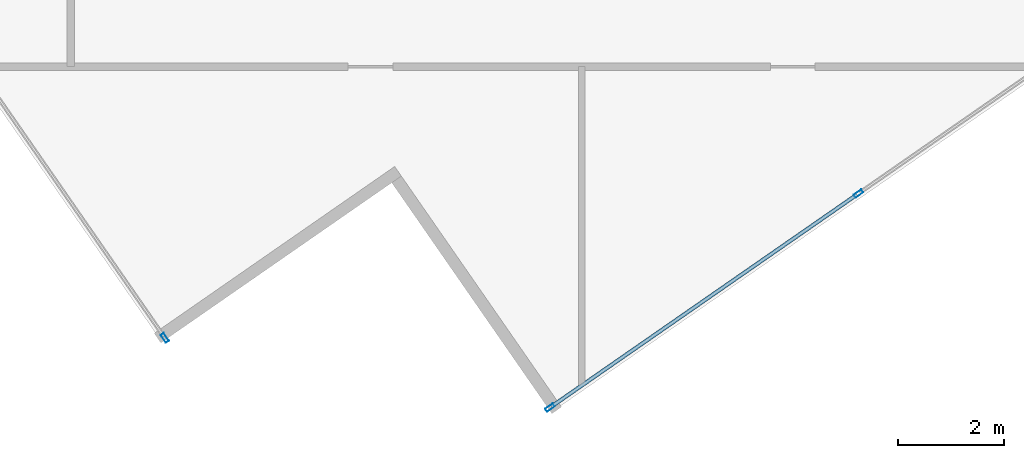
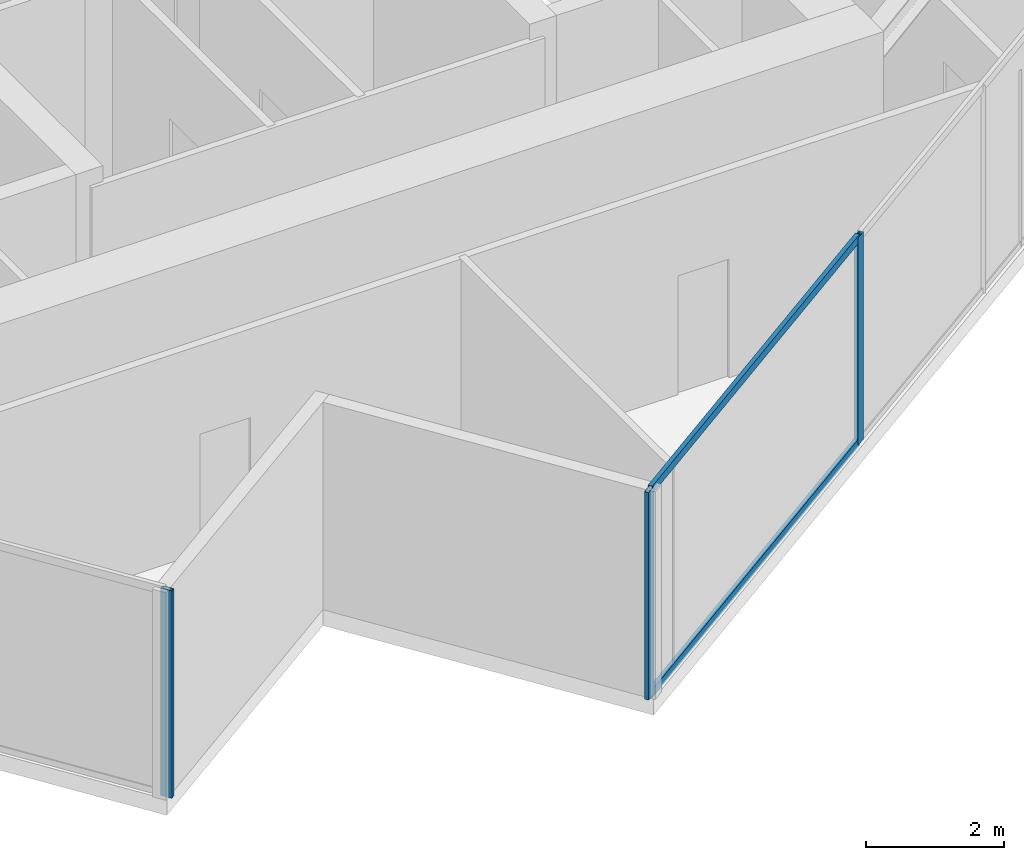
# One storey, part 3 of 21: 5 members, 2 elements without a shape of their own.
"""IFC4 building model written with IfcOpenShell, lengths in metres."""

from ifc_helpers import new_model, si_unit, direction, frame, origin, origin_2d, place, context, subcontext, project, spatial, hollow_rectangle, extrude, source, transform, mapped, material, material_profile, profile_set, type_object, type_shapes, element, aggregate, save


model = new_model("IFC4")

# Units and contexts
model_context = context("Model", 3, precision=1e-05, world=origin(), true_north=direction((0.0, 1.0)))
body_context = subcontext(model_context, "Body", "Model", "MODEL_VIEW")
ifc_project = project(units=[si_unit("LENGTHUNIT", "METRE"), si_unit("AREAUNIT", "SQUARE_METRE"), si_unit("VOLUMEUNIT", "CUBIC_METRE"), si_unit("PLANEANGLEUNIT", "RADIAN"), si_unit("MASSUNIT", "GRAM", prefix="KILO")], contexts=[model_context])

# Site, building, storey
site_placement = place(None, origin())
site = spatial("IfcSite", under=ifc_project, at=site_placement, CompositionType="ELEMENT")
building_placement = place(site_placement, origin())
building = spatial("IfcBuilding", under=site, at=building_placement, Name="Krantzveldt Concourse Tower", CompositionType="ELEMENT")
storey_placement = place(building_placement, frame((0.0, 0.0, 279.25)))
storey = spatial("IfcBuildingStorey", under=building, at=storey_placement, Name="L68", CompositionType="ELEMENT", Elevation=279.25)

# Curtain wall, member
ifc_material = material(Name="Anodised aluminium 6063-T6", Category="aluminium")
curtain_wall_type = type_object("IfcCurtainWallType", Name="CW4", PredefinedType="USERDEFINED", material=ifc_material)
curtain_wall_1_placement = place(storey_placement, origin())
curtain_wall_1 = element("IfcCurtainWall", 1, at=curtain_wall_1_placement, inside=storey, type_object=curtain_wall_type, Name="CW-L68-F08", ObjectType="UNITISED CURTAIN WALL", PredefinedType="USERDEFINED")
ifc_material_profile_1 = material_profile(ifc_material, hollow_rectangle(XDim=0.070068359375, YDim=0.179931640625, WallThickness=0.0048828125, at=origin_2d()), Name="Anodised aluminium 6063-T6", Category="aluminium")
ifc_profile_set_1 = profile_set([ifc_material_profile_1], Name="Anodised aluminium 6063-T6 - ALU-MULL 180x70x5")
member_type_1 = type_object("IfcMemberType", Name="CW-MUL-180", PredefinedType="MULLION", material=ifc_profile_set_1)
shared_shape_1 = source(origin(), body_context, "Body", "SweptSolid", [
    extrude(hollow_rectangle(XDim=0.070068359375, YDim=0.179931640625, WallThickness=0.0048828125, at=origin_2d()), origin(), (0.0, 0.0, 1.0), 3.669921875),
])
type_shapes(member_type_1, [shared_shape_1])
member_1_placement = place(storey_placement, frame((28.1005859375, 3.858642578125, 0.0), z_axis=(0.0, 0.0, 1.0), x_axis=(0.821647031735, 0.569996627395, 0.0)))
member_1 = element("IfcMember", 2, at=member_1_placement, type_object=member_type_1, Name="CW-Z56 mullion 5", PredefinedType="MULLION", context=body_context, shape_type="MappedRepresentation", body=[
    mapped(shared_shape_1, transform((0.0, 0.0, 0.0), x_axis=(1.0, 0.0, 0.0), y_axis=(0.0, 1.0, 0.0), z_axis=(0.0, 0.0, 1.0), scale=1.0)),
])
aggregate(curtain_wall_1, [member_1])

# Curtain wall, members
curtain_wall_2_placement = place(storey_placement, origin())
curtain_wall_2 = element("IfcCurtainWall", 3, at=curtain_wall_2_placement, inside=storey, type_object=curtain_wall_type, Name="CW-L68-F11", ObjectType="UNITISED CURTAIN WALL", PredefinedType="USERDEFINED")
member_2_placement = place(storey_placement, frame((35.39990234375, 2.53857421875, 0.0), z_axis=(0.0, 0.0, 1.0), x_axis=(-0.569996627395, 0.821647031735, 0.0)))
member_2 = element("IfcMember", 4, at=member_2_placement, type_object=member_type_1, Name="CW-Z56 mullion 1", PredefinedType="MULLION", context=body_context, shape_type="MappedRepresentation", body=[
    mapped(shared_shape_1, transform((0.0, 0.0, 0.0), x_axis=(1.0, 0.0, 0.0), y_axis=(0.0, 1.0, 0.0), z_axis=(0.0, 0.0, 1.0), scale=1.0)),
])
member_3_placement = place(storey_placement, frame((41.245849609375, 6.59423828125, 0.0), z_axis=(0.0, 0.0, 1.0), x_axis=(-0.569996627395, 0.821647031735, 0.0)))
member_3 = element("IfcMember", 5, at=member_3_placement, type_object=member_type_1, Name="CW-Z56 mullion 2", PredefinedType="MULLION", context=body_context, shape_type="MappedRepresentation", body=[
    mapped(shared_shape_1, transform((0.0, 0.0, 0.0), x_axis=(1.0, 0.0, 0.0), y_axis=(0.0, 1.0, 0.0), z_axis=(0.0, 0.0, 1.0), scale=1.0)),
])
ifc_material_profile_2 = material_profile(ifc_material, hollow_rectangle(XDim=0.070068359375, YDim=0.139892578125, WallThickness=0.0048828125, at=origin_2d()), Name="Anodised aluminium 6063-T6", Category="aluminium")
ifc_profile_set_2 = profile_set([ifc_material_profile_2], Name="Anodised aluminium 6063-T6 - ALU-TRAN 140x70x5")
member_type_2 = type_object("IfcMemberType", Name="CW-TRN-150", PredefinedType="USERDEFINED", material=ifc_profile_set_2)
shared_shape_2 = source(origin(), body_context, "Body", "SweptSolid", [
    extrude(hollow_rectangle(XDim=0.070068359375, YDim=0.139892578125, WallThickness=0.0048828125, at=origin_2d()), origin(), (0.0, 0.0, 1.0), 7.044921875),
])
type_shapes(member_type_2, [shared_shape_2])
member_4_placement = place(storey_placement, frame((35.4287109375, 2.55859375, 0.034912109375), z_axis=(0.821639123629, 0.570008026718, 0.0), x_axis=(-0.570008026718, 0.821639123629, 0.0)))
member_4 = element("IfcMember", 6, at=member_4_placement, type_object=member_type_2, Name="CW-Z56 transom 1.1", ObjectType="TRANSOM", PredefinedType="USERDEFINED", context=body_context, shape_type="MappedRepresentation", body=[
    mapped(shared_shape_2, transform((0.0, 0.0, 0.0), x_axis=(1.0, 0.0, 0.0), y_axis=(0.0, 1.0, 0.0), z_axis=(0.0, 0.0, 1.0), scale=1.0)),
])
member_5_placement = place(storey_placement, frame((35.4287109375, 2.55859375, 3.635009765625), z_axis=(0.821639123629, 0.570008026718, 0.0), x_axis=(-0.570008026718, 0.821639123629, 0.0)))
member_5 = element("IfcMember", 7, at=member_5_placement, type_object=member_type_2, Name="CW-Z56 transom 1.2", ObjectType="TRANSOM", PredefinedType="USERDEFINED", context=body_context, shape_type="MappedRepresentation", body=[
    mapped(shared_shape_2, transform((0.0, 0.0, 0.0), x_axis=(1.0, 0.0, 0.0), y_axis=(0.0, 1.0, 0.0), z_axis=(0.0, 0.0, 1.0), scale=1.0)),
])
aggregate(curtain_wall_2, [member_2, member_3, member_4, member_5])

save(model, "model.ifc")
